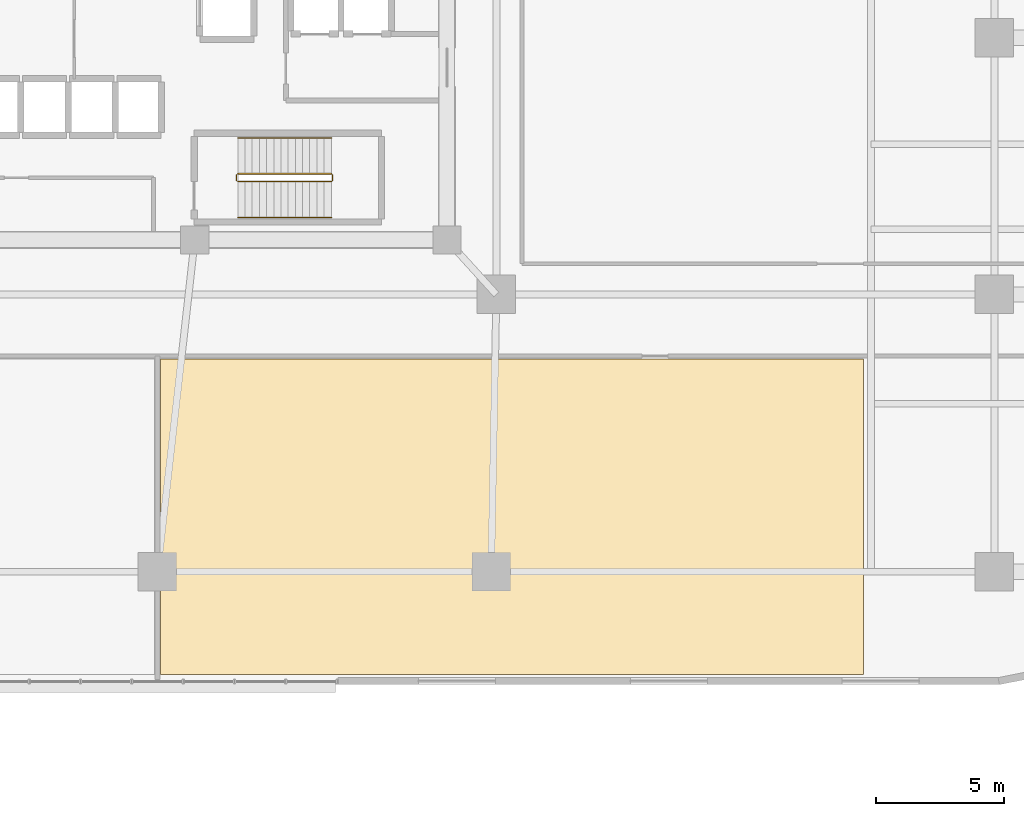
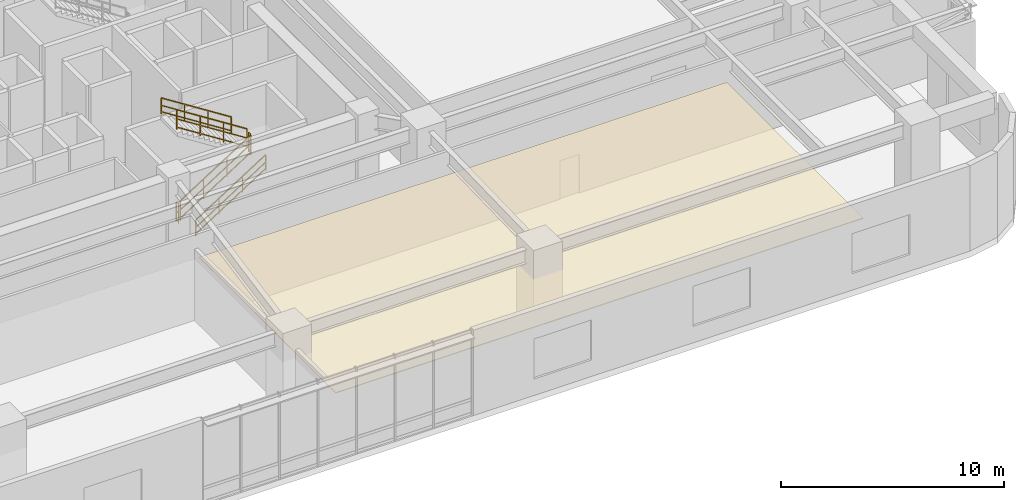
# One storey, part 20 of 23: 6 railings, 1 covering.
"""IFC4 building model written with IfcOpenShell, lengths in metres."""

import ifcopenshell
import ifcopenshell.guid

model = None  # the IFC model being written
_history = None  # IfcOwnerHistory: only IFC2X3 demands one
_inside = {}  # id of a spatial element -> (the spatial element, [elements in it])
_under = {}  # id of a project, library or spatial element -> (it, [spatial elements below it])
_declared = {}  # id of a project -> (the project, [libraries it declares])
_typed = {}  # id of a type object -> (the type object, [elements of that type])
_made_of = {}  # id of a material, layer set ... -> (it, [elements and type objects made of it])


def new_model(schema):
    """Start an empty IFC model of exactly this schema.

    Asked for "IFC4X3", IfcOpenShell would pick the latest addendum, in which some entities
    have other attributes; the version numbers below select the first issue.
    IFC2X3 requires an IfcOwnerHistory on every rooted entity: one is made here for all.
    """
    global model, _history
    if schema == "IFC4X3":
        model = ifcopenshell.file(schema_version=(4, 3, 0, 0))
    else:
        model = ifcopenshell.file(schema=schema)
    _inside.clear()
    _under.clear()
    _declared.clear()
    _typed.clear()
    _made_of.clear()
    _history = None
    if model.schema == "IFC2X3":
        org = make("IfcOrganization", Name="unknown")
        user = make(
            "IfcPersonAndOrganization",
            ThePerson=make("IfcPerson", FamilyName="unknown"),
            TheOrganization=org,
        )
        app = make(
            "IfcApplication",
            ApplicationDeveloper=org,
            Version="unknown",
            ApplicationFullName="unknown",
            ApplicationIdentifier="unknown",
        )
        _history = make(
            "IfcOwnerHistory",
            OwningUser=user,
            OwningApplication=app,
            ChangeAction="ADDED",
            CreationDate=0,
        )
    return model


def make(cls, **values):
    """One entity of the class cls with the attributes given. An attribute that is None is left unset."""
    return model.create_entity(
        cls, **{name: value for name, value in values.items() if value is not None}
    )


def rooted(cls, **values):
    """An entity with a GlobalId (a new one), such as an element, a storey or a relation."""
    return make(cls, GlobalId=ifcopenshell.guid.new(), OwnerHistory=_history, **values)


def si_unit(unit_type, name, prefix=None):
    """IfcSIUnit, for example si_unit("LENGTHUNIT", "METRE", prefix="MILLI")."""
    return make("IfcSIUnit", UnitType=unit_type, Prefix=prefix, Name=name)


def assignment(units):
    """IfcUnitAssignment: the units of a project."""
    return None if units is None else make("IfcUnitAssignment", Units=units)


def point(xyz):
    """IfcCartesianPoint."""
    return None if xyz is None else make("IfcCartesianPoint", Coordinates=xyz)


def direction(xyz):
    """IfcDirection."""
    return None if xyz is None else make("IfcDirection", DirectionRatios=xyz)


def frame(location, z_axis=None, x_axis=None):
    """IfcAxis2Placement3D, a coordinate frame: its origin and axes. An axis left out is left unset."""
    return make(
        "IfcAxis2Placement3D",
        Location=point(location),
        Axis=direction(z_axis),
        RefDirection=direction(x_axis),
    )


def frame_2d(location, x_axis=None):
    """IfcAxis2Placement2D, a coordinate frame in the plane: its origin and x axis."""
    return make(
        "IfcAxis2Placement2D", Location=point(location), RefDirection=direction(x_axis)
    )


def origin():
    """The frame at (0, 0, 0) with its axes left unset."""
    return frame((0.0, 0.0, 0.0))


def origin_2d():
    """The frame at (0, 0) in the plane with its x axis left unset."""
    return frame_2d((0.0, 0.0))


def place(relative_to, where):
    """IfcLocalPlacement: puts the frame where relative to a parent placement (None: the world)."""
    return make(
        "IfcLocalPlacement", PlacementRelTo=relative_to, RelativePlacement=where
    )


def context(
    kind, dimensions, precision=None, world=None, true_north=None, identifier=None
):
    """IfcGeometricRepresentationContext, for example the 3D "Model" context."""
    return make(
        "IfcGeometricRepresentationContext",
        ContextIdentifier=identifier,
        ContextType=kind,
        CoordinateSpaceDimension=dimensions,
        Precision=precision,
        WorldCoordinateSystem=world,
        TrueNorth=true_north,
    )


def subcontext(parent, identifier, kind, view, scale=None):
    """IfcGeometricRepresentationSubContext, for example "Body" below "Model"."""
    return make(
        "IfcGeometricRepresentationSubContext",
        ContextIdentifier=identifier,
        ContextType=kind,
        ParentContext=parent,
        TargetScale=scale,
        TargetView=view,
    )


def project(units=None, contexts=None):
    """IfcProject with its units and contexts."""
    return rooted(
        "IfcProject",
        Name="project",
        RepresentationContexts=contexts,
        UnitsInContext=assignment(units),
    )


def spatial(cls, under=None, at=None, **own):
    """A site, building, storey or space (cls), placed at a placement, below another one or the project."""
    s = rooted(cls, ObjectPlacement=at, **own)
    if under is not None:
        _under.setdefault(under.id(), (under, []))[1].append(s)
    return s


def polyline(points):
    """IfcPolyline through the points."""
    return make("IfcPolyline", Points=[point(p) for p in points])


def profile(cls, at=None, kind="AREA", **sizes):
    """A parametric profile (cls). Its sizes go by their IFC names, for example OverallWidth=200.0."""
    return make(cls, ProfileType=kind, Position=at, **sizes)


def rectangle(**sizes):
    """IfcRectangleProfileDef."""
    return profile("IfcRectangleProfileDef", **sizes)


def outline(outer, holes=None, kind="AREA"):
    """IfcArbitraryClosedProfileDef: a profile drawn as a closed curve; with holes, ...WithVoids."""
    if holes is None:
        return make("IfcArbitraryClosedProfileDef", ProfileType=kind, OuterCurve=outer)
    return make(
        "IfcArbitraryProfileDefWithVoids",
        ProfileType=kind,
        OuterCurve=outer,
        InnerCurves=holes,
    )


def extrude(swept, where, along, depth):
    """IfcExtrudedAreaSolid: the profile swept, set in the frame where, extruded along a direction by depth."""
    return make(
        "IfcExtrudedAreaSolid",
        SweptArea=swept,
        Position=where,
        ExtrudedDirection=direction(along),
        Depth=depth,
    )


def shape(context_of_items, identifier, shape_type, items):
    """IfcShapeRepresentation: the items that make up one representation, for example the "Body"."""
    return make(
        "IfcShapeRepresentation",
        ContextOfItems=context_of_items,
        RepresentationIdentifier=identifier,
        RepresentationType=shape_type,
        Items=items,
    )


def material(Name=None, Category=None):
    """IfcMaterial."""
    return make("IfcMaterial", Name=Name, Category=Category)


def layer(
    of_material, thickness, ventilated=None, Name=None, Category=None, Priority=None
):
    """IfcMaterialLayer: one layer of a wall or slab, of a material (None: an air gap)."""
    return make(
        "IfcMaterialLayer",
        Material=of_material,
        LayerThickness=thickness,
        IsVentilated=ventilated,
        Name=Name,
        Category=Category,
        Priority=Priority,
    )


def layer_set(layers, Name=None):
    """IfcMaterialLayerSet."""
    return make("IfcMaterialLayerSet", MaterialLayers=layers, LayerSetName=Name)


def made_of(thing, what):
    """Note that an element or type object is made of a material, layer set ...; save() writes the relation."""
    if what is not None:
        _made_of.setdefault(what.id(), (what, []))[1].append(thing)
    return thing


def type_object(cls, material=None, **own):
    """A type object (cls), such as IfcWallType, which elements share."""
    return made_of(rooted(cls, **own), material)


def element(
    cls,
    number,
    at=None,
    inside=None,
    cuts=None,
    type_object=None,
    material=None,
    context=None,
    identifier="Body",
    shape_type=None,
    held_by="IfcProductDefinitionShape",
    body=None,
    shapes=None,
    **own,
):
    """One element of the class cls, such as IfcWall. Its Tag is "e" and its number.

    at: its placement. inside: the storey or other place that contains it. cuts: it is an
    opening in that element (IfcRelVoidsElement). A single representation is given by context,
    identifier, shape_type and body (its items); several are given by shapes. held_by: the class
    of the entity that holds the representations. save() writes the other relations.
    """
    e = rooted(cls, Tag="e%d" % number, ObjectPlacement=at, **own)
    if body is not None:
        shapes = [shape(context, identifier, shape_type, body)]
    if shapes is not None:
        e.Representation = make(held_by, Representations=shapes)
    if inside is not None:
        _inside.setdefault(inside.id(), (inside, []))[1].append(e)
    if cuts is not None:
        rooted(
            "IfcRelVoidsElement", RelatingBuildingElement=cuts, RelatedOpeningElement=e
        )
    if type_object is not None:
        _typed.setdefault(type_object.id(), (type_object, []))[1].append(e)
    return made_of(e, material)


def aggregate(whole, parts):
    """IfcRelAggregates: a whole, such as a stair, and the parts it consists of."""
    return rooted("IfcRelAggregates", RelatingObject=whole, RelatedObjects=parts)


def save(model, path):
    """Write the relations noted so far, then the file.

    IfcRelAggregates (storeys below a building ...), IfcRelContainedInSpatialStructure (elements
    in a storey), IfcRelDefinesByType, IfcRelAssociatesMaterial and IfcRelDeclares: one each for
    every whole, place, type object, material and project.
    """
    for whole, parts in _under.values():
        aggregate(whole, parts)
    for where, things in _inside.values():
        rooted(
            "IfcRelContainedInSpatialStructure",
            RelatedElements=things,
            RelatingStructure=where,
        )
    for kind, things in _typed.values():
        rooted("IfcRelDefinesByType", RelatedObjects=things, RelatingType=kind)
    for what, things in _made_of.values():
        rooted("IfcRelAssociatesMaterial", RelatedObjects=things, RelatingMaterial=what)
    for by, libraries in _declared.values():
        rooted("IfcRelDeclares", RelatingContext=by, RelatedDefinitions=libraries)
    model.write(path)


model = new_model("IFC4")

# Units and contexts
model_context = context("Model", 3, precision=1e-05, world=origin(), true_north=direction((0.0, 1.0)))
body_context = subcontext(model_context, "Body", "Model", "MODEL_VIEW")
ifc_project = project(units=[si_unit("LENGTHUNIT", "METRE"), si_unit("AREAUNIT", "SQUARE_METRE"), si_unit("VOLUMEUNIT", "CUBIC_METRE"), si_unit("PLANEANGLEUNIT", "RADIAN"), si_unit("MASSUNIT", "GRAM", prefix="KILO")], contexts=[model_context])

# Site, building, storey
site_placement = place(None, origin())
site = spatial("IfcSite", under=ifc_project, at=site_placement, CompositionType="ELEMENT")
building_placement = place(site_placement, origin())
building = spatial("IfcBuilding", under=site, at=building_placement, Name="Zulverin Broadcast Headquarters", CompositionType="ELEMENT")
storey_placement = place(building_placement, frame((0.0, 0.0, 10.0)))
storey = spatial("IfcBuildingStorey", under=building, at=storey_placement, Name="L02", CompositionType="ELEMENT", Elevation=10.0)

# Covering
ifc_material_1 = material(Name="Perforated pale-metal acoustic baffle ceiling", Category="aluminium")
ifc_layer = layer(ifc_material_1, 0.0400390625, Name="Perforated pale-metal acoustic baffle ceiling", Category="aluminium")
ifc_layer_set = layer_set([ifc_layer], Name="Perforated pale-metal acoustic baffle ceiling")
covering_type = type_object("IfcCoveringType", Name="COV-CEIL-ACOU", PredefinedType="CEILING", material=ifc_layer_set)
covering_placement = place(storey_placement, frame((0.0, 0.0, 3.389892578125)))
element("IfcCovering", 1, at=covering_placement, inside=storey, type_object=covering_type, Name="L02 Acoustic Baffle Ceiling 02", PredefinedType="CEILING", context=body_context, shape_type="SweptSolid", body=[
    extrude(outline(polyline([(37.1201171875, 12.679931640625), (37.1201171875, 0.39990234375), (64.5, 0.39990234375), (64.5, 12.679931640625), (37.1201171875, 12.679931640625)])), origin(), (0.0, 0.0, 1.0), 0.0400390625),
])

# Railings
ifc_material_2 = material(Name="Painted galvanized steel tubular guardrail S355JR", Category="steel")
railing_type_1 = type_object("IfcRailingType", Name="RL-ST-GUARD", PredefinedType="GUARDRAIL", material=ifc_material_2)
railing_1_placement = place(storey_placement, frame((40.1298828125, 19.60009765625, 0.178466796875)))
element("IfcRailing", 2, at=railing_1_placement, inside=storey, type_object=railing_type_1, Name="L02 ST-2 stair guard 1", PredefinedType="GUARDRAIL", context=body_context, shape_type="SweptSolid", body=[
    extrude(rectangle(XDim=0.048095703125, YDim=0.048095703125, at=origin_2d()), frame((0.0, 0.0, 1.076171875), z_axis=(0.843127859045, 0.0, 0.537713132908), x_axis=(0.0, 1.0, 0.0)), (0.0, 0.0, 1.0), 4.3173828125),
    extrude(rectangle(XDim=0.0419921875, YDim=0.0419921875, at=origin_2d()), frame((0.0, 0.0, 0.572021484375), z_axis=(0.843127859045, 0.0, 0.537713132908), x_axis=(0.0, 1.0, 0.0)), (0.0, 0.0, 1.0), 4.3173828125),
    extrude(rectangle(XDim=0.0419921875, YDim=0.0419921875, at=origin_2d()), frame((0.0, 0.0, 0.1201171875), z_axis=(0.843127859045, 0.0, 0.537713132908), x_axis=(0.0, 1.0, 0.0)), (0.0, 0.0, 1.0), 4.3173828125),
    extrude(rectangle(XDim=0.0419921875, YDim=0.0419921875, at=origin_2d()), origin(), (0.0, 0.0, 1.0), 1.052001953125),
    extrude(rectangle(XDim=0.0419921875, YDim=0.0419921875, at=origin_2d()), frame((1.21337890625, 0.0, 0.77392578125)), (0.0, 0.0, 1.0), 1.052001953125),
    extrude(rectangle(XDim=0.0419921875, YDim=0.0419921875, at=origin_2d()), frame((2.4267578125, 0.0, 1.547607421875)), (0.0, 0.0, 1.0), 1.052001953125),
    extrude(rectangle(XDim=0.0419921875, YDim=0.0419921875, at=origin_2d()), frame((3.64013671875, 0.0, 2.321533203125)), (0.0, 0.0, 1.0), 1.052001953125),
])
railing_2_placement = place(storey_placement, frame((43.820068359375, 19.64990234375, 2.5)))
element("IfcRailing", 3, at=railing_2_placement, inside=storey, type_object=railing_type_1, Name="L02 ST-2 stair guard 2", PredefinedType="GUARDRAIL", context=body_context, shape_type="SweptSolid", body=[
    extrude(rectangle(XDim=0.048095703125, YDim=0.048095703125, at=origin_2d()), frame((0.0, 0.0, 1.076171875), z_axis=(0.0, 1.0, 0.0), x_axis=(-1.0, 0.0, 0.0)), (0.0, 0.0, 1.0), 0.2001953125),
    extrude(rectangle(XDim=0.0419921875, YDim=0.0419921875, at=origin_2d()), frame((0.0, 0.0, 0.572021484375), z_axis=(0.0, 1.0, 0.0), x_axis=(-1.0, 0.0, 0.0)), (0.0, 0.0, 1.0), 0.2001953125),
    extrude(rectangle(XDim=0.0419921875, YDim=0.0419921875, at=origin_2d()), frame((0.0, 0.0, 0.1201171875), z_axis=(0.0, 1.0, 0.0), x_axis=(-1.0, 0.0, 0.0)), (0.0, 0.0, 1.0), 0.2001953125),
    extrude(rectangle(XDim=0.0419921875, YDim=0.0419921875, at=origin_2d()), origin(), (0.0, 0.0, 1.0), 1.052001953125),
    extrude(rectangle(XDim=0.0419921875, YDim=0.0419921875, at=origin_2d()), frame((0.0, 0.2001953125, 0.0)), (0.0, 0.0, 1.0), 1.052001953125),
])
railing_3_placement = place(storey_placement, frame((43.77001953125, 19.89990234375, 2.678466796875)))
element("IfcRailing", 4, at=railing_3_placement, inside=storey, type_object=railing_type_1, Name="L02 ST-2 stair guard 3", PredefinedType="GUARDRAIL", context=body_context, shape_type="SweptSolid", body=[
    extrude(rectangle(XDim=0.048095703125, YDim=0.048095703125, at=origin_2d()), frame((0.0, 0.0, 1.076171875), z_axis=(-0.843127859045, 0.0, 0.537713132908), x_axis=(0.0, -1.0, 0.0)), (0.0, 0.0, 1.0), 4.3173828125),
    extrude(rectangle(XDim=0.0419921875, YDim=0.0419921875, at=origin_2d()), frame((0.0, 0.0, 0.572021484375), z_axis=(-0.843127859045, 0.0, 0.537713132908), x_axis=(0.0, -1.0, 0.0)), (0.0, 0.0, 1.0), 4.3173828125),
    extrude(rectangle(XDim=0.0419921875, YDim=0.0419921875, at=origin_2d()), frame((0.0, 0.0, 0.1201171875), z_axis=(-0.843127859045, 0.0, 0.537713132908), x_axis=(0.0, -1.0, 0.0)), (0.0, 0.0, 1.0), 4.3173828125),
    extrude(rectangle(XDim=0.0419921875, YDim=0.0419921875, at=origin_2d()), origin(), (0.0, 0.0, 1.0), 1.052001953125),
    extrude(rectangle(XDim=0.0419921875, YDim=0.0419921875, at=origin_2d()), frame((-1.21337890625, 0.0, 0.77392578125)), (0.0, 0.0, 1.0), 1.052001953125),
    extrude(rectangle(XDim=0.0419921875, YDim=0.0419921875, at=origin_2d()), frame((-2.4267578125, 0.0, 1.547607421875)), (0.0, 0.0, 1.0), 1.052001953125),
    extrude(rectangle(XDim=0.0419921875, YDim=0.0419921875, at=origin_2d()), frame((-3.64013671875, 0.0, 2.321533203125)), (0.0, 0.0, 1.0), 1.052001953125),
])
railing_4_placement = place(storey_placement, frame((40.080078125, 19.64990234375, 0.0)))
element("IfcRailing", 5, at=railing_4_placement, inside=storey, type_object=railing_type_1, Name="L02 ST-2 stair guard 4", PredefinedType="GUARDRAIL", context=body_context, shape_type="SweptSolid", body=[
    extrude(rectangle(XDim=0.048095703125, YDim=0.048095703125, at=origin_2d()), frame((0.0, 0.0, 1.076171875), z_axis=(0.0, 1.0, 0.0), x_axis=(-1.0, 0.0, 0.0)), (0.0, 0.0, 1.0), 0.2001953125),
    extrude(rectangle(XDim=0.0419921875, YDim=0.0419921875, at=origin_2d()), frame((0.0, 0.0, 0.572021484375), z_axis=(0.0, 1.0, 0.0), x_axis=(-1.0, 0.0, 0.0)), (0.0, 0.0, 1.0), 0.2001953125),
    extrude(rectangle(XDim=0.0419921875, YDim=0.0419921875, at=origin_2d()), frame((0.0, 0.0, 0.1201171875), z_axis=(0.0, 1.0, 0.0), x_axis=(-1.0, 0.0, 0.0)), (0.0, 0.0, 1.0), 0.2001953125),
    extrude(rectangle(XDim=0.0419921875, YDim=0.0419921875, at=origin_2d()), origin(), (0.0, 0.0, 1.0), 1.052001953125),
    extrude(rectangle(XDim=0.0419921875, YDim=0.0419921875, at=origin_2d()), frame((0.0, 0.2001953125, 0.0)), (0.0, 0.0, 1.0), 1.052001953125),
])
ifc_material_3 = material(Name="Brushed stainless steel 48 mm handrail", Category="steel")
railing_type_2 = type_object("IfcRailingType", Name="RL-ST-HAND", PredefinedType="HANDRAIL", material=ifc_material_3)
railing_5_placement = place(storey_placement, frame((40.1298828125, 18.199951171875, 0.178466796875)))
element("IfcRailing", 6, at=railing_5_placement, inside=storey, type_object=railing_type_2, Name="L02 ST-2 stair handrail 1", PredefinedType="HANDRAIL", context=body_context, shape_type="SweptSolid", body=[
    extrude(rectangle(XDim=0.048095703125, YDim=0.048095703125, at=origin_2d()), frame((0.0, 0.0, 0.8759765625), z_axis=(0.843127859045, 0.0, 0.537713132908), x_axis=(0.0, 1.0, 0.0)), (0.0, 0.0, 1.0), 4.3173828125),
    extrude(rectangle(XDim=0.0419921875, YDim=0.0419921875, at=origin_2d()), frame((0.0, 0.0, 0.468017578125), z_axis=(0.843127859045, 0.0, 0.537713132908), x_axis=(0.0, 1.0, 0.0)), (0.0, 0.0, 1.0), 4.3173828125),
    extrude(rectangle(XDim=0.0419921875, YDim=0.0419921875, at=origin_2d()), frame((0.0, 0.0, 0.1201171875), z_axis=(0.843127859045, 0.0, 0.537713132908), x_axis=(0.0, 1.0, 0.0)), (0.0, 0.0, 1.0), 4.3173828125),
    extrude(rectangle(XDim=0.0419921875, YDim=0.0419921875, at=origin_2d()), origin(), (0.0, 0.0, 1.0), 0.851806640625),
    extrude(rectangle(XDim=0.0419921875, YDim=0.0419921875, at=origin_2d()), frame((1.21337890625, 0.0, 0.77392578125)), (0.0, 0.0, 1.0), 0.851806640625),
    extrude(rectangle(XDim=0.0419921875, YDim=0.0419921875, at=origin_2d()), frame((2.4267578125, 0.0, 1.547607421875)), (0.0, 0.0, 1.0), 0.851806640625),
    extrude(rectangle(XDim=0.0419921875, YDim=0.0419921875, at=origin_2d()), frame((3.64013671875, 0.0, 2.321533203125)), (0.0, 0.0, 1.0), 0.851806640625),
])
railing_6_placement = place(storey_placement, frame((43.77001953125, 21.300048828125, 2.678466796875)))
element("IfcRailing", 7, at=railing_6_placement, inside=storey, type_object=railing_type_2, Name="L02 ST-2 stair handrail 2", PredefinedType="HANDRAIL", context=body_context, shape_type="SweptSolid", body=[
    extrude(rectangle(XDim=0.048095703125, YDim=0.048095703125, at=origin_2d()), frame((0.0, 0.0, 0.8759765625), z_axis=(-0.843127859045, 0.0, 0.537713132908), x_axis=(0.0, -1.0, 0.0)), (0.0, 0.0, 1.0), 4.3173828125),
    extrude(rectangle(XDim=0.0419921875, YDim=0.0419921875, at=origin_2d()), frame((0.0, 0.0, 0.468017578125), z_axis=(-0.843127859045, 0.0, 0.537713132908), x_axis=(0.0, -1.0, 0.0)), (0.0, 0.0, 1.0), 4.3173828125),
    extrude(rectangle(XDim=0.0419921875, YDim=0.0419921875, at=origin_2d()), frame((0.0, 0.0, 0.1201171875), z_axis=(-0.843127859045, 0.0, 0.537713132908), x_axis=(0.0, -1.0, 0.0)), (0.0, 0.0, 1.0), 4.3173828125),
    extrude(rectangle(XDim=0.0419921875, YDim=0.0419921875, at=origin_2d()), origin(), (0.0, 0.0, 1.0), 0.851806640625),
    extrude(rectangle(XDim=0.0419921875, YDim=0.0419921875, at=origin_2d()), frame((-1.21337890625, 0.0, 0.77392578125)), (0.0, 0.0, 1.0), 0.851806640625),
    extrude(rectangle(XDim=0.0419921875, YDim=0.0419921875, at=origin_2d()), frame((-2.4267578125, 0.0, 1.547607421875)), (0.0, 0.0, 1.0), 0.851806640625),
    extrude(rectangle(XDim=0.0419921875, YDim=0.0419921875, at=origin_2d()), frame((-3.64013671875, 0.0, 2.321533203125)), (0.0, 0.0, 1.0), 0.851806640625),
])

save(model, "model.ifc")
